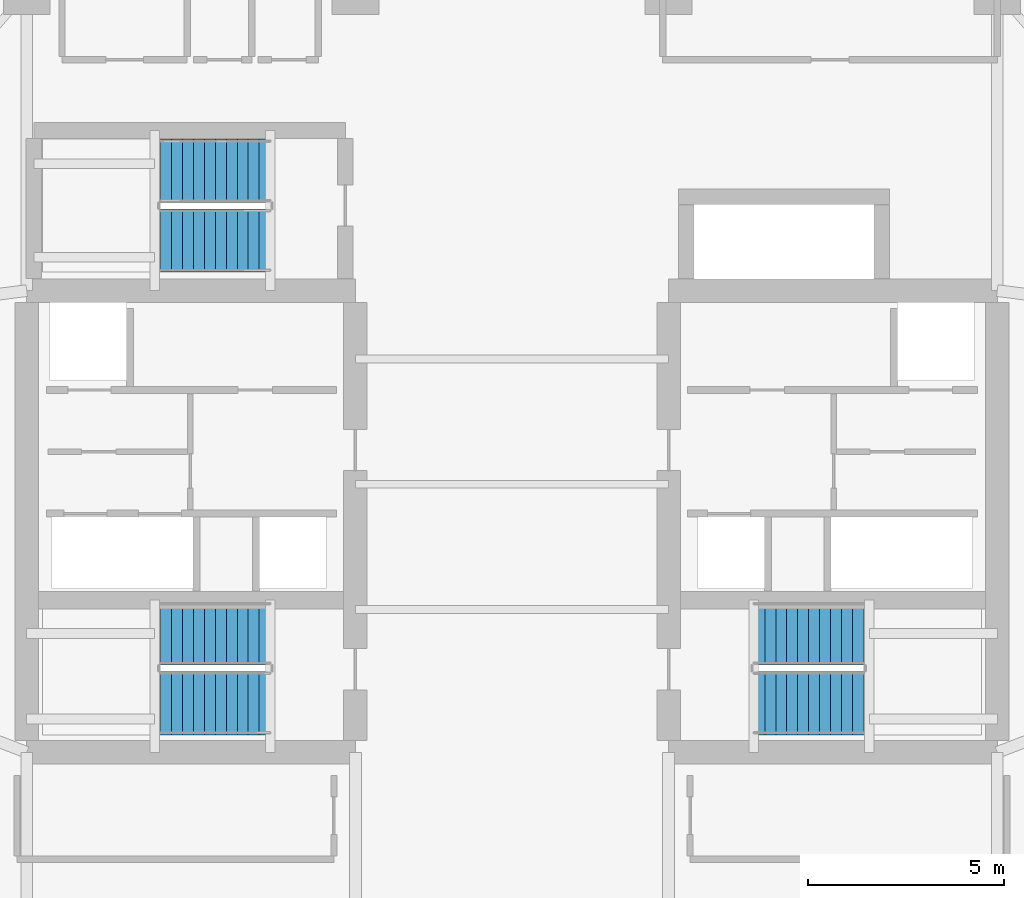
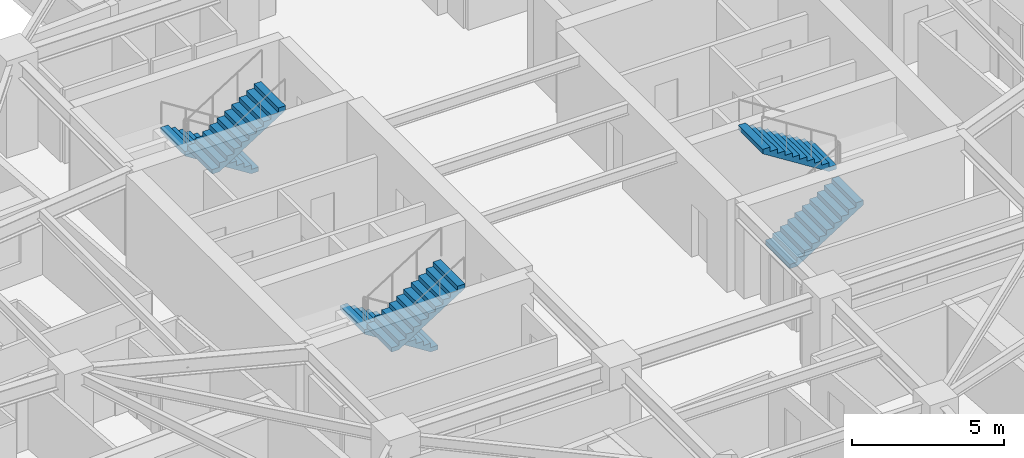
# One storey, part 9 of 14: 6 stair flights, 3 elements without a shape of their own.
"""IFC4 building model written with IfcOpenShell, lengths in metres."""

from ifc_helpers import new_model, si_unit, direction, frame, origin, place, context, subcontext, project, spatial, polyline, outline, extrude, material, layer, layer_set, type_object, element, aggregate, save


model = new_model("IFC4")

# Units and contexts
model_context = context("Model", 3, precision=1e-05, world=origin(), true_north=direction((0.0, 1.0)))
body_context = subcontext(model_context, "Body", "Model", "MODEL_VIEW")
ifc_project = project(units=[si_unit("LENGTHUNIT", "METRE"), si_unit("AREAUNIT", "SQUARE_METRE"), si_unit("VOLUMEUNIT", "CUBIC_METRE"), si_unit("PLANEANGLEUNIT", "RADIAN"), si_unit("MASSUNIT", "GRAM", prefix="KILO")], contexts=[model_context])

# Site, building, storey
site_placement = place(None, origin())
site = spatial("IfcSite", under=ifc_project, at=site_placement, CompositionType="ELEMENT")
building_placement = place(site_placement, origin())
building = spatial("IfcBuilding", under=site, at=building_placement, Name="Qingluan Cross Belvedere", CompositionType="ELEMENT")
storey_placement = place(building_placement, frame((0.0, 0.0, 128.10009765625)))
storey = spatial("IfcBuildingStorey", under=building, at=storey_placement, Name="L32", CompositionType="ELEMENT", Elevation=128.10009765625)

# Stair, stair flights
ifc_material_1 = material(Name="Concrete C40", Category="concrete")
stair_type = type_object("IfcStairType", Name="CoreDoglegStair_1620", PredefinedType="HALF_TURN_STAIR", material=ifc_material_1)
stair_1_placement = place(storey_placement, origin())
stair_1 = element("IfcStair", 1, at=stair_1_placement, inside=storey, type_object=stair_type, Name="L32 ST1", PredefinedType="HALF_TURN_STAIR")
ifc_material_2 = material(Name="Concrete C40", Category="concrete")
ifc_layer = layer(ifc_material_2, 0.179931640625, Name="StairFlight_RC180")
ifc_layer_set = layer_set([ifc_layer], Name="Concrete C40")
stair_flight_type = type_object("IfcStairFlightType", Name="StairFlight_RC180", PredefinedType="STRAIGHT", material=ifc_layer_set)
stair_flight_1_placement = place(storey_placement, frame((-6.179931640625, -3.81005859375, 0.0), z_axis=(0.0, 0.0, 1.0), x_axis=(-1.0, 0.0, 0.0)))
stair_flight_1 = element("IfcStairFlight", 2, at=stair_flight_1_placement, type_object=stair_flight_type, Name="ST1 flight 1", NumberOfRisers=11, NumberOfTreads=10, PredefinedType="STRAIGHT", RiserHeight=0.177272727, TreadLength=0.28, context=body_context, shape_type="SweptSolid", body=[
    extrude(outline(polyline([(0.0, 0.0), (0.0, 0.17724609375), (0.280029296875, 0.17724609375), (0.280029296875, 0.3544921875), (0.56005859375, 0.3544921875), (0.56005859375, 0.53173828125), (0.840087890625, 0.53173828125), (0.840087890625, 0.708984375), (1.1201171875, 0.708984375), (1.1201171875, 0.886474609375), (1.39990234375, 0.886474609375), (1.39990234375, 1.063720703125), (1.679931640625, 1.063720703125), (1.679931640625, 1.240966796875), (1.9599609375, 1.240966796875), (1.9599609375, 1.418212890625), (2.239990234375, 1.418212890625), (2.239990234375, 1.595458984375), (2.52001953125, 1.595458984375), (2.52001953125, 1.772705078125), (2.800048828125, 1.772705078125), (2.800048828125, 1.949951171875), (2.800048828125, 1.59521484375), (0.2802734375, 0.0), (0.0, 0.0)])), frame((0.0, 0.81005859375, 0.0), z_axis=(0.0, -1.0, 0.0), x_axis=(1.0, 0.0, 0.0)), (0.0, 0.0, 1.0), 1.6201171875),
])
stair_flight_2_placement = place(storey_placement, frame((-8.97998046875, -5.590087890625, 1.949951171875), z_axis=(0.0, 0.0, 1.0), x_axis=(1.0, 0.0, 0.0)))
stair_flight_2 = element("IfcStairFlight", 3, at=stair_flight_2_placement, type_object=stair_flight_type, Name="ST1 flight 2", NumberOfRisers=11, NumberOfTreads=10, PredefinedType="STRAIGHT", RiserHeight=0.177272727, TreadLength=0.28, context=body_context, shape_type="SweptSolid", body=[
    extrude(outline(polyline([(0.0, 0.0), (0.0, 0.17724609375), (0.280029296875, 0.17724609375), (0.280029296875, 0.3544921875), (0.56005859375, 0.3544921875), (0.56005859375, 0.53173828125), (0.840087890625, 0.53173828125), (0.840087890625, 0.708984375), (1.1201171875, 0.708984375), (1.1201171875, 0.886474609375), (1.39990234375, 0.886474609375), (1.39990234375, 1.063720703125), (1.679931640625, 1.063720703125), (1.679931640625, 1.240966796875), (1.9599609375, 1.240966796875), (1.9599609375, 1.418212890625), (2.239990234375, 1.418212890625), (2.239990234375, 1.595458984375), (2.52001953125, 1.595458984375), (2.52001953125, 1.772705078125), (2.800048828125, 1.772705078125), (2.800048828125, 1.949951171875), (2.800048828125, 1.59521484375), (0.2802734375, 0.0), (0.0, 0.0)])), frame((0.0, 0.81005859375, 0.0), z_axis=(0.0, -1.0, 0.0), x_axis=(1.0, 0.0, 0.0)), (0.0, 0.0, 1.0), 1.6201171875),
])
aggregate(stair_1, [stair_flight_1, stair_flight_2])

stair_2_placement = place(storey_placement, origin())
stair_2 = element("IfcStair", 4, at=stair_2_placement, inside=storey, type_object=stair_type, Name="L32 ST2", PredefinedType="HALF_TURN_STAIR")
stair_flight_3_placement = place(storey_placement, frame((6.179931640625, -5.590087890625, 0.0), z_axis=(0.0, 0.0, 1.0), x_axis=(1.0, 0.0, 0.0)))
stair_flight_3 = element("IfcStairFlight", 5, at=stair_flight_3_placement, type_object=stair_flight_type, Name="ST2 flight 1", NumberOfRisers=11, NumberOfTreads=10, PredefinedType="STRAIGHT", RiserHeight=0.177272727, TreadLength=0.28, context=body_context, shape_type="SweptSolid", body=[
    extrude(outline(polyline([(0.0, 0.0), (0.0, 0.17724609375), (0.280029296875, 0.17724609375), (0.280029296875, 0.3544921875), (0.56005859375, 0.3544921875), (0.56005859375, 0.53173828125), (0.840087890625, 0.53173828125), (0.840087890625, 0.708984375), (1.1201171875, 0.708984375), (1.1201171875, 0.886474609375), (1.39990234375, 0.886474609375), (1.39990234375, 1.063720703125), (1.679931640625, 1.063720703125), (1.679931640625, 1.240966796875), (1.9599609375, 1.240966796875), (1.9599609375, 1.418212890625), (2.239990234375, 1.418212890625), (2.239990234375, 1.595458984375), (2.52001953125, 1.595458984375), (2.52001953125, 1.772705078125), (2.800048828125, 1.772705078125), (2.800048828125, 1.949951171875), (2.800048828125, 1.59521484375), (0.2802734375, 0.0), (0.0, 0.0)])), frame((0.0, 0.81005859375, 0.0), z_axis=(0.0, -1.0, 0.0), x_axis=(1.0, 0.0, 0.0)), (0.0, 0.0, 1.0), 1.6201171875),
])
stair_flight_4_placement = place(storey_placement, frame((8.97998046875, -3.81005859375, 1.949951171875), z_axis=(0.0, 0.0, 1.0), x_axis=(-1.0, 0.0, 0.0)))
stair_flight_4 = element("IfcStairFlight", 6, at=stair_flight_4_placement, type_object=stair_flight_type, Name="ST2 flight 2", NumberOfRisers=11, NumberOfTreads=10, PredefinedType="STRAIGHT", RiserHeight=0.177272727, TreadLength=0.28, context=body_context, shape_type="SweptSolid", body=[
    extrude(outline(polyline([(0.0, 0.0), (0.0, 0.17724609375), (0.280029296875, 0.17724609375), (0.280029296875, 0.3544921875), (0.56005859375, 0.3544921875), (0.56005859375, 0.53173828125), (0.840087890625, 0.53173828125), (0.840087890625, 0.708984375), (1.1201171875, 0.708984375), (1.1201171875, 0.886474609375), (1.39990234375, 0.886474609375), (1.39990234375, 1.063720703125), (1.679931640625, 1.063720703125), (1.679931640625, 1.240966796875), (1.9599609375, 1.240966796875), (1.9599609375, 1.418212890625), (2.239990234375, 1.418212890625), (2.239990234375, 1.595458984375), (2.52001953125, 1.595458984375), (2.52001953125, 1.772705078125), (2.800048828125, 1.772705078125), (2.800048828125, 1.949951171875), (2.800048828125, 1.59521484375), (0.2802734375, 0.0), (0.0, 0.0)])), frame((0.0, 0.81005859375, 0.0), z_axis=(0.0, -1.0, 0.0), x_axis=(1.0, 0.0, 0.0)), (0.0, 0.0, 1.0), 1.6201171875),
])
aggregate(stair_2, [stair_flight_3, stair_flight_4])

stair_3_placement = place(storey_placement, origin())
stair_3 = element("IfcStair", 7, at=stair_3_placement, inside=storey, type_object=stair_type, Name="L32 ST3", PredefinedType="HALF_TURN_STAIR")
stair_flight_5_placement = place(storey_placement, frame((-6.179931640625, 8.010009765625, 0.0), z_axis=(0.0, 0.0, 1.0), x_axis=(-1.0, 0.0, 0.0)))
stair_flight_5 = element("IfcStairFlight", 8, at=stair_flight_5_placement, type_object=stair_flight_type, Name="ST3 flight 1", NumberOfRisers=11, NumberOfTreads=10, PredefinedType="STRAIGHT", RiserHeight=0.177272727, TreadLength=0.28, context=body_context, shape_type="SweptSolid", body=[
    extrude(outline(polyline([(0.0, 0.0), (0.0, 0.17724609375), (0.280029296875, 0.17724609375), (0.280029296875, 0.3544921875), (0.56005859375, 0.3544921875), (0.56005859375, 0.53173828125), (0.840087890625, 0.53173828125), (0.840087890625, 0.708984375), (1.1201171875, 0.708984375), (1.1201171875, 0.886474609375), (1.39990234375, 0.886474609375), (1.39990234375, 1.063720703125), (1.679931640625, 1.063720703125), (1.679931640625, 1.240966796875), (1.9599609375, 1.240966796875), (1.9599609375, 1.418212890625), (2.239990234375, 1.418212890625), (2.239990234375, 1.595458984375), (2.52001953125, 1.595458984375), (2.52001953125, 1.772705078125), (2.800048828125, 1.772705078125), (2.800048828125, 1.949951171875), (2.800048828125, 1.59521484375), (0.2802734375, 0.0), (0.0, 0.0)])), frame((0.0, 0.81005859375, 0.0), z_axis=(0.0, -1.0, 0.0), x_axis=(1.0, 0.0, 0.0)), (0.0, 0.0, 1.0), 1.6201171875),
])
stair_flight_6_placement = place(storey_placement, frame((-8.97998046875, 6.22998046875, 1.949951171875), z_axis=(0.0, 0.0, 1.0), x_axis=(1.0, 0.0, 0.0)))
stair_flight_6 = element("IfcStairFlight", 9, at=stair_flight_6_placement, type_object=stair_flight_type, Name="ST3 flight 2", NumberOfRisers=11, NumberOfTreads=10, PredefinedType="STRAIGHT", RiserHeight=0.177272727, TreadLength=0.28, context=body_context, shape_type="SweptSolid", body=[
    extrude(outline(polyline([(0.0, 0.0), (0.0, 0.17724609375), (0.280029296875, 0.17724609375), (0.280029296875, 0.3544921875), (0.56005859375, 0.3544921875), (0.56005859375, 0.53173828125), (0.840087890625, 0.53173828125), (0.840087890625, 0.708984375), (1.1201171875, 0.708984375), (1.1201171875, 0.886474609375), (1.39990234375, 0.886474609375), (1.39990234375, 1.063720703125), (1.679931640625, 1.063720703125), (1.679931640625, 1.240966796875), (1.9599609375, 1.240966796875), (1.9599609375, 1.418212890625), (2.239990234375, 1.418212890625), (2.239990234375, 1.595458984375), (2.52001953125, 1.595458984375), (2.52001953125, 1.772705078125), (2.800048828125, 1.772705078125), (2.800048828125, 1.949951171875), (2.800048828125, 1.59521484375), (0.2802734375, 0.0), (0.0, 0.0)])), frame((0.0, 0.81005859375, 0.0), z_axis=(0.0, -1.0, 0.0), x_axis=(1.0, 0.0, 0.0)), (0.0, 0.0, 1.0), 1.6201171875),
])
aggregate(stair_3, [stair_flight_5, stair_flight_6])

save(model, "model.ifc")
